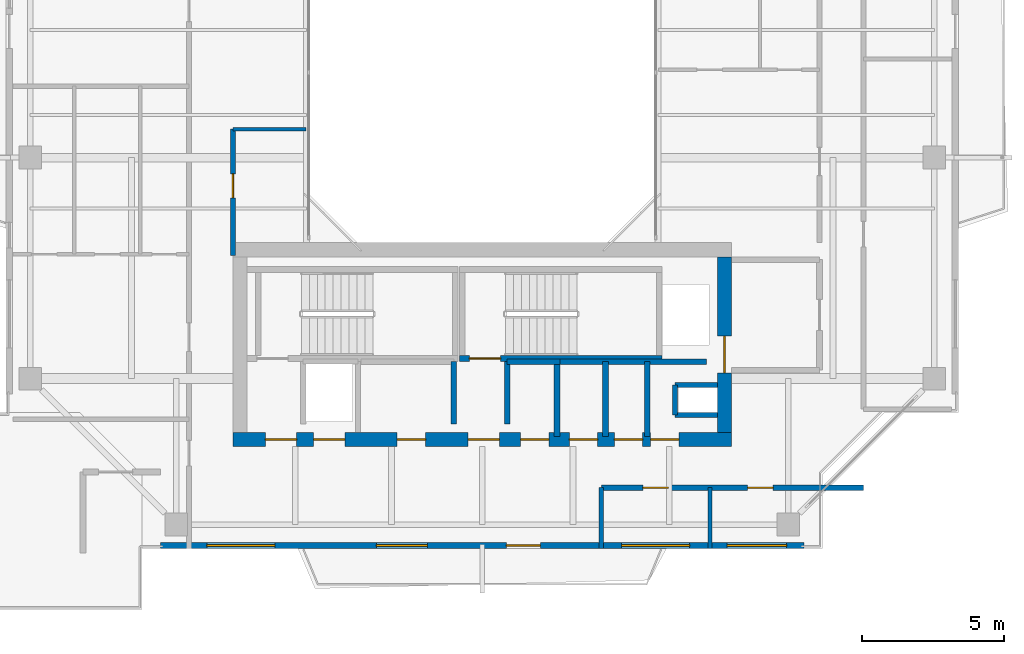
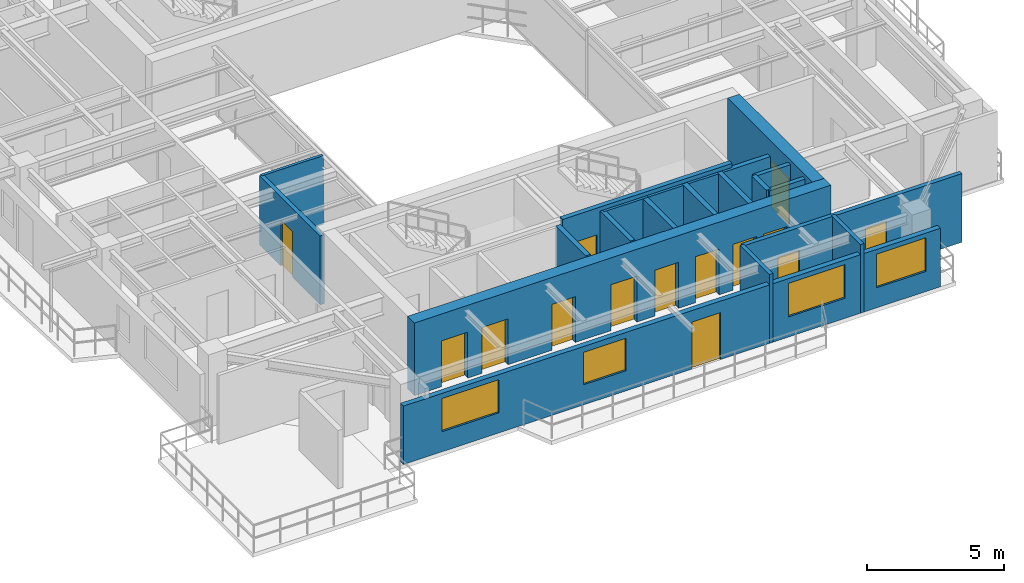
# One storey, part 9 of 15: 19 walls, 14 doors, 4 windows, 18 openings.
"""IFC4 building model written with IfcOpenShell, lengths in metres."""

from ifc_helpers import new_model, si_unit, direction, frame, frame_2d, origin, place, context, subcontext, project, spatial, rectangle, extrude, source, transform, mapped, material, layer, layer_set, type_object, element, fill, save


model = new_model("IFC4")

# Units and contexts
model_context = context("Model", 3, precision=1e-05, world=origin(), true_north=direction((0.0, 1.0)))
body_context = subcontext(model_context, "Body", "Model", "MODEL_VIEW")
ifc_project = project(units=[si_unit("LENGTHUNIT", "METRE"), si_unit("AREAUNIT", "SQUARE_METRE"), si_unit("VOLUMEUNIT", "CUBIC_METRE"), si_unit("PLANEANGLEUNIT", "RADIAN"), si_unit("MASSUNIT", "GRAM", prefix="KILO"), si_unit("THERMODYNAMICTEMPERATUREUNIT", "KELVIN"), si_unit("POWERUNIT", "WATT")], contexts=[model_context])

# Site, building, storey
site_placement = place(None, origin())
site = spatial("IfcSite", under=ifc_project, at=site_placement, CompositionType="ELEMENT")
building_placement = place(site_placement, origin())
building = spatial("IfcBuilding", under=site, at=building_placement, Name="Qiaomeng Ring Towers", CompositionType="ELEMENT")
storey_placement = place(building_placement, frame((0.0, 0.0, 193.75)))
storey = spatial("IfcBuildingStorey", under=building, at=storey_placement, Name="L56", CompositionType="ELEMENT", Elevation=193.75)

# Wall, openings, windows, door
ifc_material_1 = material(Name="Precast concrete C40", Category="concrete")
ifc_layer_1 = layer(ifc_material_1, 0.219970703125, Name="Precast concrete C40")
ifc_layer_set_1 = layer_set([ifc_layer_1], Name="Precast concrete C40")
wall_type_1 = type_object("IfcWallType", Name="ARC-WL-EW2", PredefinedType="STANDARD", material=ifc_layer_set_1)
wall_1_placement = place(storey_placement, frame((7.64990234375, 6.31005859375, 0.0), z_axis=(0.0, 0.0, 1.0), x_axis=(1.0, 0.0, 0.0)))
wall_1 = element("IfcWall", 1, at=wall_1_placement, inside=storey, type_object=wall_type_1, Name="L56 Tower 1 S Exterior Wall", PredefinedType="STANDARD", context=body_context, shape_type="SweptSolid", body=[
    extrude(rectangle(XDim=22.7001953125, YDim=0.219970703125, at=frame_2d((11.35009765625, 0.0))), origin(), (0.0, 0.0, 1.0), 2.610107421875),
])
opening_1_placement = place(wall_1_placement, frame((12.199951171875, 0.0, 0.0)))
opening_1 = element("IfcOpeningElement", 2, at=opening_1_placement, cuts=wall_1, Name="Opening BD1", PredefinedType="OPENING", context=body_context, shape_type="SweptSolid", body=[
    extrude(rectangle(XDim=1.199951171875, YDim=2.10009765625, at=frame_2d((0.60009765625, 1.050048828125))), frame((0.0, 0.119873046875, 0.0), z_axis=(0.0, -1.0, 0.0), x_axis=(1.0, 0.0, 0.0)), (0.0, 0.0, 1.0), 0.239990234375),
])
opening_2_placement = place(wall_1_placement, frame((1.636962890625, 0.0, 0.89990234375)))
opening_2 = element("IfcOpeningElement", 3, at=opening_2_placement, cuts=wall_1, Name="Opening WN6", PredefinedType="OPENING", context=body_context, shape_type="SweptSolid", body=[
    extrude(rectangle(XDim=2.39990234375, YDim=1.47998046875, at=frame_2d((1.199951171875, 0.739990234375))), frame((0.0, 0.119873046875, 0.0), z_axis=(0.0, -1.0, 0.0), x_axis=(1.0, 0.0, 0.0)), (0.0, 0.0, 1.0), 0.239990234375),
])
opening_3_placement = place(wall_1_placement, frame((7.612060546875, 0.0, 0.89990234375)))
opening_3 = element("IfcOpeningElement", 4, at=opening_3_placement, cuts=wall_1, Name="Opening WN1", PredefinedType="OPENING", context=body_context, shape_type="SweptSolid", body=[
    extrude(rectangle(XDim=1.800048828125, YDim=1.449951171875, at=frame_2d((0.89990234375, 0.72509765625))), frame((0.0, 0.119873046875, 0.0), z_axis=(0.0, -1.0, 0.0), x_axis=(1.0, 0.0, 0.0)), (0.0, 0.0, 1.0), 0.239990234375),
])
opening_4_placement = place(wall_1_placement, frame((19.987548828125, 0.0, 0.89990234375)))
opening_4 = element("IfcOpeningElement", 5, at=opening_4_placement, cuts=wall_1, Name="Opening WN4", PredefinedType="OPENING", context=body_context, shape_type="SweptSolid", body=[
    extrude(rectangle(XDim=2.10009765625, YDim=1.5, at=frame_2d((1.050048828125, 0.75))), frame((0.0, 0.119873046875, 0.0), z_axis=(0.0, -1.0, 0.0), x_axis=(1.0, 0.0, 0.0)), (0.0, 0.0, 1.0), 0.239990234375),
])
opening_5_placement = place(wall_1_placement, frame((16.27001953125, 0.0, 0.89990234375)))
opening_5 = element("IfcOpeningElement", 6, at=opening_5_placement, cuts=wall_1, Name="Opening WN6", PredefinedType="OPENING", context=body_context, shape_type="SweptSolid", body=[
    extrude(rectangle(XDim=2.39990234375, YDim=1.5, at=frame_2d((1.199951171875, 0.75))), frame((0.0, 0.119873046875, 0.0), z_axis=(0.0, -1.0, 0.0), x_axis=(1.0, 0.0, 0.0)), (0.0, 0.0, 1.0), 0.239990234375),
])
ifc_material_2 = material(Name="Low-E dark-grey laminated double glazing", Category="glass")
window_type_1 = type_object("IfcWindowType", Name="ARC-WN-4", PartitioningType="TRIPLE_PANEL_VERTICAL", PredefinedType="WINDOW", material=ifc_material_2)
shared_shape_1 = source(origin(), body_context, "Body", "SweptSolid", [
    extrude(rectangle(XDim=2.10009765625, YDim=1.5, at=frame_2d((1.050048828125, 0.75))), frame((0.0, 0.030029296875, 0.0), z_axis=(0.0, -1.0, 0.0), x_axis=(1.0, 0.0, 0.0)), (0.0, 0.0, 1.0), 0.06005859375),
])
window_1_placement = place(opening_4_placement, origin())
window_1 = element("IfcWindow", 7, at=window_1_placement, inside=storey, type_object=window_type_1, Name="L56 Exterior Window WN4", OverallHeight=1.5, OverallWidth=2.10009765625, PartitioningType="TRIPLE_PANEL_VERTICAL", PredefinedType="WINDOW", context=body_context, shape_type="MappedRepresentation", body=[
    mapped(shared_shape_1, transform((0.0, 0.0, 0.0), x_axis=(1.0, 0.0, 0.0), y_axis=(0.0, 1.0, 0.0), z_axis=(0.0, 0.0, 1.0), scale=1.0)),
])
fill(opening_4, window_1)
window_type_2 = type_object("IfcWindowType", Name="ARC-WN-1", PartitioningType="DOUBLE_PANEL_VERTICAL", PredefinedType="WINDOW", material=ifc_material_2)
shared_shape_2 = source(origin(), body_context, "Body", "SweptSolid", [
    extrude(rectangle(XDim=1.800048828125, YDim=1.449951171875, at=frame_2d((0.89990234375, 0.72509765625))), frame((0.0, 0.030029296875, 0.0), z_axis=(0.0, -1.0, 0.0), x_axis=(1.0, 0.0, 0.0)), (0.0, 0.0, 1.0), 0.06005859375),
])
window_2_placement = place(opening_3_placement, origin())
window_2 = element("IfcWindow", 8, at=window_2_placement, inside=storey, type_object=window_type_2, Name="L56 Exterior Window WN1", OverallHeight=1.449951171875, OverallWidth=1.800048828125, PartitioningType="DOUBLE_PANEL_VERTICAL", PredefinedType="WINDOW", context=body_context, shape_type="MappedRepresentation", body=[
    mapped(shared_shape_2, transform((0.0, 0.0, 0.0), x_axis=(1.0, 0.0, 0.0), y_axis=(0.0, 1.0, 0.0), z_axis=(0.0, 0.0, 1.0), scale=1.0)),
])
fill(opening_3, window_2)
window_type_3 = type_object("IfcWindowType", Name="ARC-WN-6", PartitioningType="TRIPLE_PANEL_VERTICAL", PredefinedType="WINDOW", material=ifc_material_2)
shared_shape_3 = source(origin(), body_context, "Body", "SweptSolid", [
    extrude(rectangle(XDim=2.39990234375, YDim=1.47998046875, at=frame_2d((1.199951171875, 0.739990234375))), frame((0.0, 0.030029296875, 0.0), z_axis=(0.0, -1.0, 0.0), x_axis=(1.0, 0.0, 0.0)), (0.0, 0.0, 1.0), 0.06005859375),
])
window_3_placement = place(opening_2_placement, origin())
window_3 = element("IfcWindow", 9, at=window_3_placement, inside=storey, type_object=window_type_3, Name="L56 Exterior Window WN6", OverallHeight=1.47998046875, OverallWidth=2.39990234375, PartitioningType="TRIPLE_PANEL_VERTICAL", PredefinedType="WINDOW", context=body_context, shape_type="MappedRepresentation", body=[
    mapped(shared_shape_3, transform((0.0, 0.0, 0.0), x_axis=(1.0, 0.0, 0.0), y_axis=(0.0, 1.0, 0.0), z_axis=(0.0, 0.0, 1.0), scale=1.0)),
])
fill(opening_2, window_3)
door_type_1 = type_object("IfcDoorType", Name="ARC-DR-BD1", OperationType="NOTDEFINED", PredefinedType="DOOR", material=ifc_material_2)
shared_shape_4 = source(origin(), body_context, "Body", "SweptSolid", [
    extrude(rectangle(XDim=1.199951171875, YDim=2.10009765625, at=frame_2d((0.60009765625, 1.050048828125))), frame((0.0, 0.02490234375, 0.0), z_axis=(0.0, -1.0, 0.0), x_axis=(1.0, 0.0, 0.0)), (0.0, 0.0, 1.0), 0.050048828125),
])
door_1_placement = place(opening_1_placement, frame((1.199951171875, 0.0, 0.0), z_axis=(0.0, 0.0, 1.0), x_axis=(-1.0, 0.0, 0.0)))
door_1 = element("IfcDoor", 10, at=door_1_placement, inside=storey, type_object=door_type_1, Name="L56 S Balcony Glazed Door", OperationType="SINGLE_SWING_LEFT", OverallHeight=2.10009765625, OverallWidth=1.199951171875, PredefinedType="DOOR", context=body_context, shape_type="MappedRepresentation", body=[
    mapped(shared_shape_4, transform((0.0, 0.0, 0.0), x_axis=(1.0, 0.0, 0.0), y_axis=(0.0, 1.0, 0.0), z_axis=(0.0, 0.0, 1.0), scale=1.0)),
])
fill(opening_1, door_1)
shared_shape_5 = source(origin(), body_context, "Body", "SweptSolid", [
    extrude(rectangle(XDim=2.39990234375, YDim=1.5, at=frame_2d((1.199951171875, 0.75))), frame((0.0, 0.030029296875, 0.0), z_axis=(0.0, -1.0, 0.0), x_axis=(1.0, 0.0, 0.0)), (0.0, 0.0, 1.0), 0.06005859375),
])
window_4_placement = place(opening_5_placement, origin())
window_4 = element("IfcWindow", 11, at=window_4_placement, inside=storey, type_object=window_type_3, Name="L56 Exterior Window WN6", OverallHeight=1.5, OverallWidth=2.39990234375, PartitioningType="TRIPLE_PANEL_VERTICAL", PredefinedType="WINDOW", context=body_context, shape_type="MappedRepresentation", body=[
    mapped(shared_shape_5, transform((0.0, 0.0, 0.0), x_axis=(1.0, 0.0, 0.0), y_axis=(0.0, 1.0, 0.0), z_axis=(0.0, 0.0, 1.0), scale=1.0)),
])
fill(opening_5, window_4)

# Walls
ifc_material_3 = material(Name="Autoclaved aerated concrete block", Category="concrete")
ifc_layer_2 = layer(ifc_material_3, 0.199951171875, Name="Autoclaved aerated concrete block")
ifc_layer_set_2 = layer_set([ifc_layer_2], Name="Autoclaved aerated concrete block")
wall_type_2 = type_object("IfcWallType", Name="ARC-WL-PW1", PredefinedType="PARTITIONING", material=ifc_layer_set_2)
for number, where, z_axis, x_axis, name in (
    (12, (18.0, 10.60009765625, 0.0), (0.0, 0.0, 1.0), (0.0, 1.0, 0.0), "L56 Interior Wall PW1"),
    (13, (19.8798828125, 10.60009765625, 0.0), (0.0, 0.0, 1.0), (0.0, 1.0, 0.0), "L56 Interior Wall PW1"),
):
    element("IfcWall", number, at=place(storey_placement, frame(where, z_axis=z_axis, x_axis=x_axis)), inside=storey, type_object=wall_type_2, Name=name, PredefinedType="PARTITIONING", context=body_context, shape_type="SweptSolid", body=[
        extrude(rectangle(XDim=2.2099609375, YDim=0.199951171875, at=frame_2d((1.10498046875, 0.0))), origin(), (0.0, 0.0, 1.0), 3.070068359375),
    ])
wall_2_placement = place(storey_placement, frame((24.820068359375, 10.14990234375, 0.0), z_axis=(0.0, 0.0, 1.0), x_axis=(0.0, 1.0, 0.0)))
element("IfcWall", 14, at=wall_2_placement, inside=storey, type_object=wall_type_2, Name="L56 Interior Wall PW1", PredefinedType="PARTITIONING", context=body_context, shape_type="SweptSolid", body=[
    extrude(rectangle(XDim=2.650146484375, YDim=0.199951171875, at=frame_2d((1.3251953125, 0.0))), origin(), (0.0, 0.0, 1.0), 3.070068359375),
])
wall_3_placement = place(storey_placement, frame((19.8798828125, 12.800048828125, 0.0), z_axis=(0.0, 0.0, 1.0), x_axis=(1.0, 0.0, 0.0)))
element("IfcWall", 15, at=wall_3_placement, inside=storey, type_object=wall_type_2, Name="L56 Interior Wall PW1", PredefinedType="PARTITIONING", context=body_context, shape_type="SweptSolid", body=[
    extrude(rectangle(XDim=1.8701171875, YDim=0.199951171875, at=frame_2d((0.93505859375, 0.0))), origin(), (0.0, 0.0, 1.0), 3.070068359375),
])
for number, where, z_axis, x_axis, name in (
    (16, (21.639892578125, 10.14990234375, 0.0), (0.0, 0.0, 1.0), (0.0, 1.0, 0.0), "L56 Interior Wall PW1"),
    (17, (23.35009765625, 10.14990234375, 0.0), (0.0, 0.0, 1.0), (0.0, 1.0, 0.0), "L56 Interior Wall PW1"),
):
    element("IfcWall", number, at=place(storey_placement, frame(where, z_axis=z_axis, x_axis=x_axis)), inside=storey, type_object=wall_type_2, Name=name, PredefinedType="PARTITIONING", context=body_context, shape_type="SweptSolid", body=[
        extrude(rectangle(XDim=2.650146484375, YDim=0.199951171875, at=frame_2d((1.3251953125, 0.0))), origin(), (0.0, 0.0, 1.0), 3.070068359375),
    ])
wall_4_placement = place(storey_placement, frame((21.75, 12.800048828125, 0.0), z_axis=(0.0, 0.0, 1.0), x_axis=(1.0, 0.0, 0.0)))
element("IfcWall", 18, at=wall_4_placement, inside=storey, type_object=wall_type_2, Name="L56 Interior Wall PW1", PredefinedType="PARTITIONING", context=body_context, shape_type="SweptSolid", body=[
    extrude(rectangle(XDim=5.169921875, YDim=0.199951171875, at=frame_2d((2.5849609375, 0.0))), origin(), (0.0, 0.0, 1.0), 3.070068359375),
])

# Wall, openings, doors
ifc_layer_3 = layer(ifc_material_3, 0.179931640625, Name="Autoclaved aerated concrete block")
ifc_layer_set_3 = layer_set([ifc_layer_3], Name="Autoclaved aerated concrete block")
wall_type_3 = type_object("IfcWallType", Name="ARC-WL-PW2", PredefinedType="PARTITIONING", material=ifc_layer_set_3)
wall_5_placement = place(storey_placement, frame((23.199951171875, 8.35009765625, 0.0), z_axis=(0.0, 0.0, 1.0), x_axis=(1.0, 0.0, 0.0)))
wall_5 = element("IfcWall", 19, at=wall_5_placement, inside=storey, type_object=wall_type_3, Name="L56 Interior Wall PW2", PredefinedType="PARTITIONING", context=body_context, shape_type="SweptSolid", body=[
    extrude(rectangle(XDim=9.25, YDim=0.179931640625, at=frame_2d((4.625, 0.0))), origin(), (0.0, 0.0, 1.0), 3.070068359375),
])
opening_6_placement = place(wall_5_placement, frame((1.469970703125, 0.0, 0.0)))
opening_6 = element("IfcOpeningElement", 20, at=opening_6_placement, cuts=wall_5, Name="Opening ID1", PredefinedType="OPENING", context=body_context, shape_type="SweptSolid", body=[
    extrude(rectangle(XDim=0.89990234375, YDim=2.050048828125, at=frame_2d((0.449951171875, 1.02490234375))), frame((0.0, 0.099853515625, 0.0), z_axis=(0.0, -1.0, 0.0), x_axis=(1.0, 0.0, 0.0)), (0.0, 0.0, 1.0), 0.199951171875),
])
opening_7_placement = place(wall_5_placement, frame((5.1640625, 0.0, 0.0)))
opening_7 = element("IfcOpeningElement", 21, at=opening_7_placement, cuts=wall_5, Name="Opening ID1", PredefinedType="OPENING", context=body_context, shape_type="SweptSolid", body=[
    extrude(rectangle(XDim=0.89990234375, YDim=2.050048828125, at=frame_2d((0.449951171875, 1.02490234375))), frame((0.0, 0.099853515625, 0.0), z_axis=(0.0, -1.0, 0.0), x_axis=(1.0, 0.0, 0.0)), (0.0, 0.0, 1.0), 0.199951171875),
])
ifc_material_4 = material(Name="Engineered oak timber", Category="wood")
door_type_2 = type_object("IfcDoorType", Name="ARC-DR-ID1", OperationType="NOTDEFINED", PredefinedType="DOOR", material=ifc_material_4)
shared_shape_6 = source(origin(), body_context, "Body", "SweptSolid", [
    extrude(rectangle(XDim=0.89990234375, YDim=2.050048828125, at=frame_2d((0.449951171875, 1.02490234375))), frame((0.0, 0.02490234375, 0.0), z_axis=(0.0, -1.0, 0.0), x_axis=(1.0, 0.0, 0.0)), (0.0, 0.0, 1.0), 0.050048828125),
])
door_2_placement = place(opening_6_placement, origin())
door_2 = element("IfcDoor", 22, at=door_2_placement, inside=storey, type_object=door_type_2, Name="L56 Door ID1", OperationType="SINGLE_SWING_RIGHT", OverallHeight=2.050048828125, OverallWidth=0.89990234375, PredefinedType="DOOR", context=body_context, shape_type="MappedRepresentation", body=[
    mapped(shared_shape_6, transform((0.0, 0.0, 0.0), x_axis=(1.0, 0.0, 0.0), y_axis=(0.0, 1.0, 0.0), z_axis=(0.0, 0.0, 1.0), scale=1.0)),
])
fill(opening_6, door_2)
door_3_placement = place(opening_7_placement, origin())
door_3 = element("IfcDoor", 23, at=door_3_placement, inside=storey, type_object=door_type_2, Name="L56 Door ID1", OperationType="SINGLE_SWING_LEFT", OverallHeight=2.050048828125, OverallWidth=0.89990234375, PredefinedType="DOOR", context=body_context, shape_type="MappedRepresentation", body=[
    mapped(shared_shape_6, transform((0.0, 0.0, 0.0), x_axis=(1.0, 0.0, 0.0), y_axis=(0.0, 1.0, 0.0), z_axis=(0.0, 0.0, 1.0), scale=1.0)),
])
fill(opening_7, door_3)

# Wall, opening, door
wall_6_placement = place(storey_placement, frame((10.199951171875, 16.550048828125, 0.0), z_axis=(0.0, 0.0, 1.0), x_axis=(0.0, 1.0, 0.0)))
wall_6 = element("IfcWall", 24, at=wall_6_placement, inside=storey, type_object=wall_type_3, Name="L56 Interior Wall PW2", PredefinedType="PARTITIONING", context=body_context, shape_type="SweptSolid", body=[
    extrude(rectangle(XDim=4.449951171875, YDim=0.179931640625, at=frame_2d((2.22509765625, 0.0))), origin(), (0.0, 0.0, 1.0), 3.070068359375),
])
opening_8_placement = place(wall_6_placement, frame((2.02490234375, 0.0, 0.0)))
opening_8 = element("IfcOpeningElement", 25, at=opening_8_placement, cuts=wall_6, Name="Opening ID2", PredefinedType="OPENING", context=body_context, shape_type="SweptSolid", body=[
    extrude(rectangle(XDim=0.85009765625, YDim=2.050048828125, at=frame_2d((0.425048828125, 1.02490234375))), frame((0.0, 0.099853515625, 0.0), z_axis=(0.0, -1.0, 0.0), x_axis=(1.0, 0.0, 0.0)), (0.0, 0.0, 1.0), 0.199951171875),
])
ifc_material_5 = material(Name="Moisture-resistant engineered timber", Category="wood")
door_type_3 = type_object("IfcDoorType", Name="ARC-DR-ID2", OperationType="NOTDEFINED", PredefinedType="DOOR", material=ifc_material_5)
shared_shape_7 = source(origin(), body_context, "Body", "SweptSolid", [
    extrude(rectangle(XDim=0.85009765625, YDim=2.050048828125, at=frame_2d((0.425048828125, 1.02490234375))), frame((0.0, 0.02490234375, 0.0), z_axis=(0.0, -1.0, 0.0), x_axis=(1.0, 0.0, 0.0)), (0.0, 0.0, 1.0), 0.050048828125),
])
door_4_placement = place(opening_8_placement, origin())
door_4 = element("IfcDoor", 26, at=door_4_placement, inside=storey, type_object=door_type_3, Name="L56 Door ID2", OperationType="SINGLE_SWING_RIGHT", OverallHeight=2.050048828125, OverallWidth=0.85009765625, PredefinedType="DOOR", context=body_context, shape_type="MappedRepresentation", body=[
    mapped(shared_shape_7, transform((0.0, 0.0, 0.0), x_axis=(1.0, 0.0, 0.0), y_axis=(0.0, 1.0, 0.0), z_axis=(0.0, 0.0, 1.0), scale=1.0)),
])
fill(opening_8, door_4)

# Walls
ifc_material_6 = material(Name="Gypsum fireboard steel-stud partition", Category="steel")
ifc_layer_4 = layer(ifc_material_6, 0.14990234375, Name="Gypsum fireboard steel-stud partition")
ifc_layer_set_4 = layer_set([ifc_layer_4], Name="Gypsum fireboard steel-stud partition")
wall_type_4 = type_object("IfcWallType", Name="ARC-WL-PW3", PredefinedType="PARTITIONING", material=ifc_layer_set_4)
for number, where, z_axis, x_axis, name in (
    (27, (23.199951171875, 6.199951171875, 0.0), (0.0, 0.0, 1.0), (0.0, 1.0, 0.0), "L56 Interior Wall PW3"),
    (28, (27.0400390625, 6.199951171875, 0.0), (0.0, 0.0, 1.0), (0.0, 1.0, 0.0), "L56 Interior Wall PW3"),
):
    element("IfcWall", number, at=place(storey_placement, frame(where, z_axis=z_axis, x_axis=x_axis)), inside=storey, type_object=wall_type_4, Name=name, PredefinedType="PARTITIONING", context=body_context, shape_type="SweptSolid", body=[
        extrude(rectangle(XDim=2.150146484375, YDim=0.14990234375, at=frame_2d((1.0751953125, 0.0))), origin(), (0.0, 0.0, 1.0), 3.070068359375),
    ])
ifc_material_7 = material(Name="Moisture-resistant gypsum steel-stud partition", Category="steel")
ifc_layer_5 = layer(ifc_material_7, 0.1201171875, Name="Moisture-resistant gypsum steel-stud partition")
ifc_layer_set_5 = layer_set([ifc_layer_5], Name="Moisture-resistant gypsum steel-stud partition")
wall_type_5 = type_object("IfcWallType", Name="ARC-WL-PW4", PredefinedType="PLUMBINGWALL", material=ifc_layer_set_5)
wall_7_placement = place(storey_placement, frame((10.199951171875, 21.0, 0.0), z_axis=(0.0, 0.0, 1.0), x_axis=(1.0, 0.0, 0.0)))
element("IfcWall", 29, at=wall_7_placement, inside=storey, type_object=wall_type_5, Name="L56 Interior Wall PW4", PredefinedType="PLUMBINGWALL", context=body_context, shape_type="SweptSolid", body=[
    extrude(rectangle(XDim=2.580078125, YDim=0.1201171875, at=frame_2d((1.2900390625, 0.0))), origin(), (0.0, 0.0, 1.0), 3.070068359375),
])
ifc_material_8 = material(Name="Concrete C40", Category="concrete")
ifc_layer_6 = layer(ifc_material_8, 0.199951171875, Name="Concrete C40")
ifc_layer_set_6 = layer_set([ifc_layer_6], Name="Concrete C40")
wall_type_6 = type_object("IfcWallType", Name="STR-WL-STSHAFT", PredefinedType="SHEAR", material=ifc_layer_set_6)
wall_8_placement = place(storey_placement, frame((25.800048828125, 10.919921875, 0.0), z_axis=(0.0, 0.0, 1.0), x_axis=(0.0, 1.0, 0.0)))
element("IfcWall", 30, at=wall_8_placement, inside=storey, type_object=wall_type_6, Name="L56 Riser RSR1 West Shaft Wall S", PredefinedType="SHEAR", context=body_context, shape_type="SweptSolid", body=[
    extrude(rectangle(XDim=1.06005859375, YDim=0.179931640625, at=frame_2d((0.530029296875, 0.0))), origin(), (0.0, 0.0, 1.0), 3.070068359375),
])
for number, where, z_axis, x_axis, name in (
    (31, (25.800048828125, 11.97998046875, 0.0), (0.0, 0.0, 1.0), (1.0, 0.0, 0.0), "L56 Riser RSR1 North Shaft Wall S"),
    (32, (25.800048828125, 10.919921875, 0.0), (0.0, 0.0, 1.0), (1.0, 0.0, 0.0), "L56 Riser RSR1 South Shaft Wall S"),
):
    element("IfcWall", number, at=place(storey_placement, frame(where, z_axis=z_axis, x_axis=x_axis)), inside=storey, type_object=wall_type_6, Name=name, PredefinedType="SHEAR", context=body_context, shape_type="SweptSolid", body=[
        extrude(rectangle(XDim=1.5, YDim=0.179931640625, at=frame_2d((0.75, 0.0))), origin(), (0.0, 0.0, 1.0), 3.070068359375),
    ])

# Wall, opening, door
wall_9_placement = place(storey_placement, frame((18.199951171875, 12.909912109375, 0.0), z_axis=(0.0, 0.0, 1.0), x_axis=(1.0, 0.0, 0.0)))
wall_9 = element("IfcWall", 33, at=wall_9_placement, inside=storey, type_object=wall_type_6, Name="L56 Stair ST4 South Shaft Shear Wall", PredefinedType="SHEAR", context=body_context, shape_type="SweptSolid", body=[
    extrude(rectangle(XDim=7.150146484375, YDim=0.199951171875, at=frame_2d((3.5751953125, 0.0))), origin(), (0.0, 0.0, 1.0), 3.25),
])
opening_9_placement = place(wall_9_placement, frame((0.35009765625, 0.0, 0.0)))
opening_9 = element("IfcOpeningElement", 34, at=opening_9_placement, cuts=wall_9, Name="Opening FD3", PredefinedType="OPENING", context=body_context, shape_type="SweptSolid", body=[
    extrude(rectangle(XDim=1.10009765625, YDim=2.050048828125, at=frame_2d((0.550048828125, 1.02490234375))), frame((0.0, 0.10986328125, 0.0), z_axis=(0.0, -1.0, 0.0), x_axis=(1.0, 0.0, 0.0)), (0.0, 0.0, 1.0), 0.219970703125),
])
ifc_material_9 = material(Name="Galvanised steel", Category="steel")
door_type_4 = type_object("IfcDoorType", Name="ARC-DR-FD3", OperationType="NOTDEFINED", PredefinedType="DOOR", material=ifc_material_9)
shared_shape_8 = source(origin(), body_context, "Body", "SweptSolid", [
    extrude(rectangle(XDim=1.10009765625, YDim=2.050048828125, at=frame_2d((0.550048828125, 1.02490234375))), frame((0.0, 0.02490234375, 0.0), z_axis=(0.0, -1.0, 0.0), x_axis=(1.0, 0.0, 0.0)), (0.0, 0.0, 1.0), 0.050048828125),
])
door_5_placement = place(opening_9_placement, frame((1.10009765625, 0.0, 0.0), z_axis=(0.0, 0.0, 1.0), x_axis=(-1.0, 0.0, 0.0)))
door_5 = element("IfcDoor", 35, at=door_5_placement, inside=storey, type_object=door_type_4, Name="L56 Stair ST4 Exit Door", OperationType="SINGLE_SWING_RIGHT", OverallHeight=2.050048828125, OverallWidth=1.10009765625, PredefinedType="DOOR", context=body_context, shape_type="MappedRepresentation", body=[
    mapped(shared_shape_8, transform((0.0, 0.0, 0.0), x_axis=(1.0, 0.0, 0.0), y_axis=(0.0, 1.0, 0.0), z_axis=(0.0, 0.0, 1.0), scale=1.0)),
])
fill(opening_9, door_5)

# Wall, openings, doors
ifc_layer_7 = layer(ifc_material_8, 0.5, Name="Concrete C40")
ifc_layer_set_7 = layer_set([ifc_layer_7], Name="Concrete C40")
wall_type_7 = type_object("IfcWallType", Name="STR-WL-SW3", PredefinedType="SHEAR", material=ifc_layer_set_7)
wall_10_placement = place(storey_placement, frame((10.199951171875, 10.050048828125, 0.0), z_axis=(0.0, 0.0, 1.0), x_axis=(1.0, 0.0, 0.0)))
wall_10 = element("IfcWall", 36, at=wall_10_placement, inside=storey, type_object=wall_type_7, Name="L56 T1SC south core shear wall", PredefinedType="SHEAR", context=body_context, shape_type="SweptSolid", body=[
    extrude(rectangle(XDim=17.60009765625, YDim=0.5, at=frame_2d((8.800048828125, 0.0))), origin(), (0.0, 0.0, 1.0), 3.25),
])
opening_10_placement = place(wall_10_placement, frame((1.14990234375, 0.0, 0.0)))
opening_10 = element("IfcOpeningElement", 37, at=opening_10_placement, cuts=wall_10, Name="Opening FD3", PredefinedType="OPENING", context=body_context, shape_type="SweptSolid", body=[
    extrude(rectangle(XDim=1.10009765625, YDim=2.050048828125, at=frame_2d((0.550048828125, 1.02490234375))), frame((0.0, 0.260009765625, 0.0), z_axis=(0.0, -1.0, 0.0), x_axis=(1.0, 0.0, 0.0)), (0.0, 0.0, 1.0), 0.52001953125),
])
opening_11_placement = place(wall_10_placement, frame((8.300048828125, 0.0, 0.0)))
opening_11 = element("IfcOpeningElement", 38, at=opening_11_placement, cuts=wall_10, Name="Opening FD3", PredefinedType="OPENING", context=body_context, shape_type="SweptSolid", body=[
    extrude(rectangle(XDim=1.10009765625, YDim=2.050048828125, at=frame_2d((0.550048828125, 1.02490234375))), frame((0.0, 0.260009765625, 0.0), z_axis=(0.0, -1.0, 0.0), x_axis=(1.0, 0.0, 0.0)), (0.0, 0.0, 1.0), 0.52001953125),
])
opening_12_placement = place(wall_10_placement, frame((2.85009765625, 0.0, 0.0)))
opening_12 = element("IfcOpeningElement", 39, at=opening_12_placement, cuts=wall_10, Name="Opening LD1", PredefinedType="OPENING", context=body_context, shape_type="SweptSolid", body=[
    extrude(rectangle(XDim=1.10009765625, YDim=2.050048828125, at=frame_2d((0.550048828125, 1.02490234375))), frame((0.0, 0.260009765625, 0.0), z_axis=(0.0, -1.0, 0.0), x_axis=(1.0, 0.0, 0.0)), (0.0, 0.0, 1.0), 0.52001953125),
])
opening_13_placement = place(wall_10_placement, frame((5.800048828125, 0.0, 0.0)))
opening_13 = element("IfcOpeningElement", 40, at=opening_13_placement, cuts=wall_10, Name="Opening FD1", PredefinedType="OPENING", context=body_context, shape_type="SweptSolid", body=[
    extrude(rectangle(XDim=1.0, YDim=2.050048828125, at=frame_2d((0.5, 1.02490234375))), frame((0.0, 0.260009765625, 0.0), z_axis=(0.0, -1.0, 0.0), x_axis=(1.0, 0.0, 0.0)), (0.0, 0.0, 1.0), 0.52001953125),
])
opening_14_placement = place(wall_10_placement, frame((14.739990234375, 0.0, 0.0)))
opening_14 = element("IfcOpeningElement", 41, at=opening_14_placement, cuts=wall_10, Name="Opening FD1", PredefinedType="OPENING", context=body_context, shape_type="SweptSolid", body=[
    extrude(rectangle(XDim=1.0, YDim=2.050048828125, at=frame_2d((0.5, 1.02490234375))), frame((0.0, 0.260009765625, 0.0), z_axis=(0.0, -1.0, 0.0), x_axis=(1.0, 0.0, 0.0)), (0.0, 0.0, 1.0), 0.52001953125),
])
opening_15_placement = place(wall_10_placement, frame((10.155029296875, 0.0, 0.0)))
opening_15 = element("IfcOpeningElement", 42, at=opening_15_placement, cuts=wall_10, Name="Opening FD1", PredefinedType="OPENING", context=body_context, shape_type="SweptSolid", body=[
    extrude(rectangle(XDim=1.0, YDim=2.050048828125, at=frame_2d((0.5, 1.02490234375))), frame((0.0, 0.260009765625, 0.0), z_axis=(0.0, -1.0, 0.0), x_axis=(1.0, 0.0, 0.0)), (0.0, 0.0, 1.0), 0.52001953125),
])
opening_16_placement = place(wall_10_placement, frame((11.8701171875, 0.0, 0.0)))
opening_16 = element("IfcOpeningElement", 43, at=opening_16_placement, cuts=wall_10, Name="Opening FD1", PredefinedType="OPENING", context=body_context, shape_type="SweptSolid", body=[
    extrude(rectangle(XDim=1.0, YDim=2.050048828125, at=frame_2d((0.5, 1.02490234375))), frame((0.0, 0.260009765625, 0.0), z_axis=(0.0, -1.0, 0.0), x_axis=(1.0, 0.0, 0.0)), (0.0, 0.0, 1.0), 0.52001953125),
])
opening_17_placement = place(wall_10_placement, frame((13.4599609375, 0.0, 0.0)))
opening_17 = element("IfcOpeningElement", 44, at=opening_17_placement, cuts=wall_10, Name="Opening FD1", PredefinedType="OPENING", context=body_context, shape_type="SweptSolid", body=[
    extrude(rectangle(XDim=1.0, YDim=2.050048828125, at=frame_2d((0.5, 1.02490234375))), frame((0.0, 0.260009765625, 0.0), z_axis=(0.0, -1.0, 0.0), x_axis=(1.0, 0.0, 0.0)), (0.0, 0.0, 1.0), 0.52001953125),
])
door_6_placement = place(opening_10_placement, origin())
door_6 = element("IfcDoor", 45, at=door_6_placement, inside=storey, type_object=door_type_4, Name="L56 Stair ST3 Lobby Door", OperationType="SINGLE_SWING_LEFT", OverallHeight=2.050048828125, OverallWidth=1.10009765625, PredefinedType="DOOR", context=body_context, shape_type="MappedRepresentation", body=[
    mapped(shared_shape_8, transform((0.0, 0.0, 0.0), x_axis=(1.0, 0.0, 0.0), y_axis=(0.0, 1.0, 0.0), z_axis=(0.0, 0.0, 1.0), scale=1.0)),
])
fill(opening_10, door_6)
door_7_placement = place(opening_11_placement, origin())
door_7 = element("IfcDoor", 46, at=door_7_placement, inside=storey, type_object=door_type_4, Name="L56 Stair ST4 Lobby Door", OperationType="SINGLE_SWING_LEFT", OverallHeight=2.050048828125, OverallWidth=1.10009765625, PredefinedType="DOOR", context=body_context, shape_type="MappedRepresentation", body=[
    mapped(shared_shape_8, transform((0.0, 0.0, 0.0), x_axis=(1.0, 0.0, 0.0), y_axis=(0.0, 1.0, 0.0), z_axis=(0.0, 0.0, 1.0), scale=1.0)),
])
fill(opening_11, door_7)
ifc_material_10 = material(Name="Stainless steel 316", Category="steel")
door_type_5 = type_object("IfcDoorType", Name="ARC-DR-LD1", OperationType="NOTDEFINED", PredefinedType="DOOR", material=ifc_material_10)
door_8_placement = place(opening_12_placement, origin())
door_8 = element("IfcDoor", 47, at=door_8_placement, inside=storey, type_object=door_type_5, Name="L56 High-Zone Lift LP6 Landing Door", OperationType="SLIDING_TO_RIGHT", OverallHeight=2.050048828125, OverallWidth=1.10009765625, PredefinedType="DOOR", context=body_context, shape_type="MappedRepresentation", body=[
    mapped(shared_shape_8, transform((0.0, 0.0, 0.0), x_axis=(1.0, 0.0, 0.0), y_axis=(0.0, 1.0, 0.0), z_axis=(0.0, 0.0, 1.0), scale=1.0)),
])
fill(opening_12, door_8)
door_type_6 = type_object("IfcDoorType", Name="ARC-DR-FD1", OperationType="NOTDEFINED", PredefinedType="DOOR", material=ifc_material_9)
shared_shape_9 = source(origin(), body_context, "Body", "SweptSolid", [
    extrude(rectangle(XDim=1.0, YDim=2.050048828125, at=frame_2d((0.5, 1.02490234375))), frame((0.0, 0.02490234375, 0.0), z_axis=(0.0, -1.0, 0.0), x_axis=(1.0, 0.0, 0.0)), (0.0, 0.0, 1.0), 0.050048828125),
])
door_9_placement = place(opening_13_placement, origin())
door_9 = element("IfcDoor", 48, at=door_9_placement, inside=storey, type_object=door_type_6, Name="L56 High-Zone Freed Core Room Door", OperationType="SINGLE_SWING_RIGHT", OverallHeight=2.050048828125, OverallWidth=1.0, PredefinedType="DOOR", context=body_context, shape_type="MappedRepresentation", body=[
    mapped(shared_shape_9, transform((0.0, 0.0, 0.0), x_axis=(1.0, 0.0, 0.0), y_axis=(0.0, 1.0, 0.0), z_axis=(0.0, 0.0, 1.0), scale=1.0)),
])
fill(opening_13, door_9)
door_10_placement = place(opening_14_placement, origin())
door_10 = element("IfcDoor", 49, at=door_10_placement, inside=storey, type_object=door_type_6, Name="L56 South Electrical Riser Door", OperationType="SINGLE_SWING_RIGHT", OverallHeight=2.050048828125, OverallWidth=1.0, PredefinedType="DOOR", context=body_context, shape_type="MappedRepresentation", body=[
    mapped(shared_shape_9, transform((0.0, 0.0, 0.0), x_axis=(1.0, 0.0, 0.0), y_axis=(0.0, 1.0, 0.0), z_axis=(0.0, 0.0, 1.0), scale=1.0)),
])
fill(opening_14, door_10)
door_11_placement = place(opening_15_placement, origin())
door_11 = element("IfcDoor", 50, at=door_11_placement, inside=storey, type_object=door_type_6, Name="L56 South Break Lounge Door", OperationType="SINGLE_SWING_RIGHT", OverallHeight=2.050048828125, OverallWidth=1.0, PredefinedType="DOOR", context=body_context, shape_type="MappedRepresentation", body=[
    mapped(shared_shape_9, transform((0.0, 0.0, 0.0), x_axis=(1.0, 0.0, 0.0), y_axis=(0.0, 1.0, 0.0), z_axis=(0.0, 0.0, 1.0), scale=1.0)),
])
fill(opening_15, door_11)
door_12_placement = place(opening_16_placement, origin())
door_12 = element("IfcDoor", 51, at=door_12_placement, inside=storey, type_object=door_type_6, Name="L56 South Consultation Study Door", OperationType="SINGLE_SWING_LEFT", OverallHeight=2.050048828125, OverallWidth=1.0, PredefinedType="DOOR", context=body_context, shape_type="MappedRepresentation", body=[
    mapped(shared_shape_9, transform((0.0, 0.0, 0.0), x_axis=(1.0, 0.0, 0.0), y_axis=(0.0, 1.0, 0.0), z_axis=(0.0, 0.0, 1.0), scale=1.0)),
])
fill(opening_16, door_12)
door_13_placement = place(opening_17_placement, origin())
door_13 = element("IfcDoor", 52, at=door_13_placement, inside=storey, type_object=door_type_6, Name="L56 South Tea Pantry Door", OperationType="SINGLE_SWING_RIGHT", OverallHeight=2.050048828125, OverallWidth=1.0, PredefinedType="DOOR", context=body_context, shape_type="MappedRepresentation", body=[
    mapped(shared_shape_9, transform((0.0, 0.0, 0.0), x_axis=(1.0, 0.0, 0.0), y_axis=(0.0, 1.0, 0.0), z_axis=(0.0, 0.0, 1.0), scale=1.0)),
])
fill(opening_17, door_13)

# Wall, opening, door
wall_11_placement = place(storey_placement, frame((27.550048828125, 10.300048828125, 0.0), z_axis=(0.0, 0.0, 1.0), x_axis=(0.0, 1.0, 0.0)))
wall_11 = element("IfcWall", 53, at=wall_11_placement, inside=storey, type_object=wall_type_7, Name="L56 T1SC east core shear wall", PredefinedType="SHEAR", context=body_context, shape_type="SweptSolid", body=[
    extrude(rectangle(XDim=6.199951171875, YDim=0.5, at=frame_2d((3.10009765625, 0.0))), origin(), (0.0, 0.0, 1.0), 3.25),
])
opening_18_placement = place(wall_11_placement, frame((2.10009765625, 0.0, 0.0)))
opening_18 = element("IfcOpeningElement", 54, at=opening_18_placement, cuts=wall_11, Name="Opening LD2", PredefinedType="OPENING", context=body_context, shape_type="SweptSolid", body=[
    extrude(rectangle(XDim=1.300048828125, YDim=2.050048828125, at=frame_2d((0.64990234375, 1.02490234375))), frame((0.0, 0.260009765625, 0.0), z_axis=(0.0, -1.0, 0.0), x_axis=(1.0, 0.0, 0.0)), (0.0, 0.0, 1.0), 0.52001953125),
])
door_type_7 = type_object("IfcDoorType", Name="ARC-DR-LD2", OperationType="NOTDEFINED", PredefinedType="DOOR", material=ifc_material_10)
shared_shape_10 = source(origin(), body_context, "Body", "SweptSolid", [
    extrude(rectangle(XDim=1.300048828125, YDim=2.050048828125, at=frame_2d((0.64990234375, 1.02490234375))), frame((0.0, 0.02490234375, 0.0), z_axis=(0.0, -1.0, 0.0), x_axis=(1.0, 0.0, 0.0)), (0.0, 0.0, 1.0), 0.050048828125),
])
door_14_placement = place(opening_18_placement, origin())
door_14 = element("IfcDoor", 55, at=door_14_placement, inside=storey, type_object=door_type_7, Name="L56 Firefighting Lift FL2 Landing Door", OperationType="SLIDING_TO_RIGHT", OverallHeight=2.050048828125, OverallWidth=1.300048828125, PredefinedType="DOOR", context=body_context, shape_type="MappedRepresentation", body=[
    mapped(shared_shape_10, transform((0.0, 0.0, 0.0), x_axis=(1.0, 0.0, 0.0), y_axis=(0.0, 1.0, 0.0), z_axis=(0.0, 0.0, 1.0), scale=1.0)),
])
fill(opening_18, door_14)

save(model, "model.ifc")
